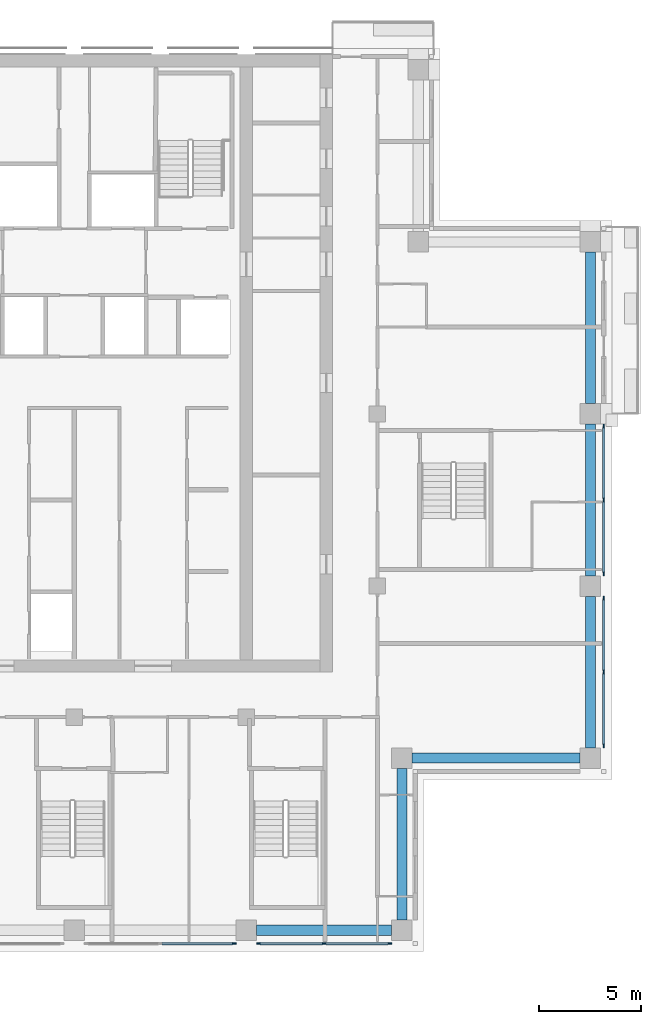
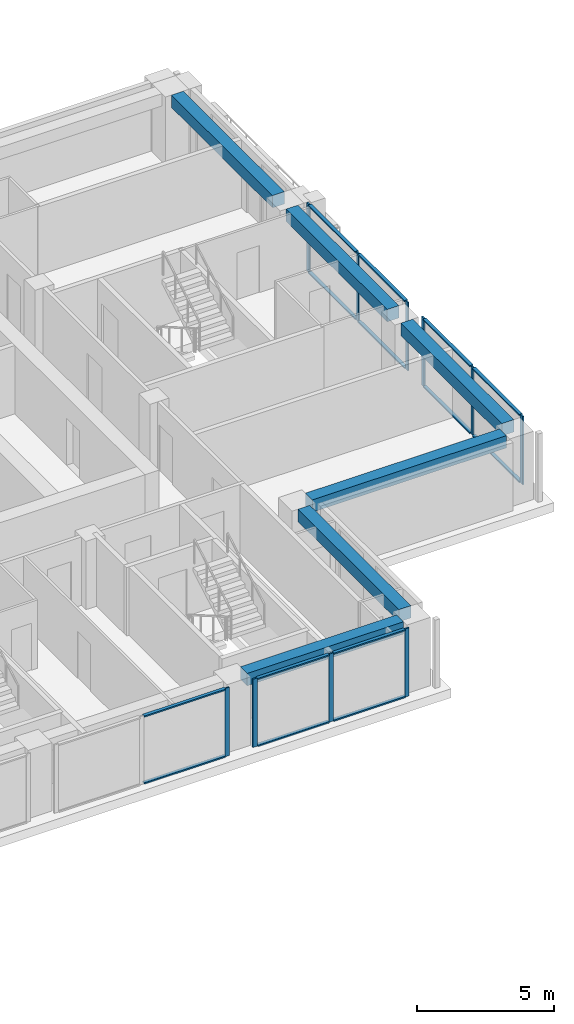
# One storey, part 5 of 16: 24 members, 6 beams, 4 elements without a shape of their own.
"""IFC4 building model written with IfcOpenShell, lengths in metres."""

from ifc_helpers import new_model, si_unit, direction, frame, origin, origin_2d, place, context, subcontext, project, spatial, rectangle, extrude, material, material_profile, profile_set, type_object, element, aggregate, save


model = new_model("IFC4")

# Units and contexts
model_context = context("Model", 3, precision=1e-05, world=origin(), true_north=direction((0.0, 1.0)))
body_context = subcontext(model_context, "Body", "Model", "MODEL_VIEW")
ifc_project = project(units=[si_unit("LENGTHUNIT", "METRE"), si_unit("AREAUNIT", "SQUARE_METRE"), si_unit("VOLUMEUNIT", "CUBIC_METRE"), si_unit("PLANEANGLEUNIT", "RADIAN"), si_unit("MASSUNIT", "GRAM", prefix="KILO")], contexts=[model_context])

# Site, building, storey
site_placement = place(None, origin())
site = spatial("IfcSite", under=ifc_project, at=site_placement, CompositionType="ELEMENT")
building_placement = place(site_placement, origin())
building = spatial("IfcBuilding", under=site, at=building_placement, Name="Vermilion Ogive Tower", CompositionType="ELEMENT")
storey_placement = place(building_placement, frame((0.0, 0.0, 179.0)))
storey = spatial("IfcBuildingStorey", under=building, at=storey_placement, Name="L46", CompositionType="ELEMENT", Elevation=179.0)

# Curtain wall, member
ifc_material_1 = material(Name="Low-iron laminated glazing in aluminium frame", Category="aluminium")
curtain_wall_type = type_object("IfcCurtainWallType", Name="Curtain wall CW7", PredefinedType="NOTDEFINED", material=ifc_material_1)
curtain_wall_1_placement = place(storey_placement, origin())
curtain_wall_1 = element("IfcCurtainWall", 1, at=curtain_wall_1_placement, inside=storey, type_object=curtain_wall_type, Name="Glazed skin S3", PredefinedType="NOTDEFINED")
ifc_material_2 = material(Name="Aluminium mullion", Category="aluminium")
ifc_material_profile_1 = material_profile(ifc_material_2, rectangle(XDim=0.06005859375, YDim=0.179931640625, at=origin_2d()), Name="AL 60x180")
ifc_profile_set_1 = profile_set([ifc_material_profile_1], Name="Aluminium mullion")
member_type_1 = type_object("IfcMemberType", Name="CW7 mullion 60x180", PredefinedType="MULLION", material=ifc_profile_set_1)
member_1_placement = place(storey_placement, frame((7.81005859375, -21.64990234375, 0.0), z_axis=(0.0, 0.0, 1.0), x_axis=(0.0, 1.0, 0.0)))
member_1 = element("IfcMember", 2, at=member_1_placement, type_object=member_type_1, Name="CW7-S3 mullion 3", PredefinedType="MULLION", context=body_context, shape_type="SweptSolid", body=[
    extrude(rectangle(XDim=0.06005859375, YDim=0.179931640625, at=origin_2d()), origin(), (0.0, 0.0, 1.0), 3.050048828125),
])

# Curtain wall, members
curtain_wall_2_placement = place(storey_placement, origin())
curtain_wall_2 = element("IfcCurtainWall", 3, at=curtain_wall_2_placement, inside=storey, type_object=curtain_wall_type, Name="Glazed skin S4", PredefinedType="NOTDEFINED")
member_2_placement = place(storey_placement, frame((8.989990234375, -21.64990234375, 0.0), z_axis=(0.0, 0.0, 1.0), x_axis=(0.0, 1.0, 0.0)))
member_2 = element("IfcMember", 4, at=member_2_placement, type_object=member_type_1, Name="CW7-S4 mullion 1", PredefinedType="MULLION", context=body_context, shape_type="SweptSolid", body=[
    extrude(rectangle(XDim=0.06005859375, YDim=0.179931640625, at=origin_2d()), origin(), (0.0, 0.0, 1.0), 3.050048828125),
])
member_3_placement = place(storey_placement, frame((12.199951171875, -21.64990234375, 0.0), z_axis=(0.0, 0.0, 1.0), x_axis=(0.0, 1.0, 0.0)))
member_3 = element("IfcMember", 5, at=member_3_placement, type_object=member_type_1, Name="CW7-S4 mullion 2", PredefinedType="MULLION", context=body_context, shape_type="SweptSolid", body=[
    extrude(rectangle(XDim=0.06005859375, YDim=0.179931640625, at=origin_2d()), origin(), (0.0, 0.0, 1.0), 3.050048828125),
])
member_4_placement = place(storey_placement, frame((15.409912109375, -21.64990234375, 0.0), z_axis=(0.0, 0.0, 1.0), x_axis=(0.0, 1.0, 0.0)))
member_4 = element("IfcMember", 6, at=member_4_placement, type_object=member_type_1, Name="CW7-S4 mullion 3", PredefinedType="MULLION", context=body_context, shape_type="SweptSolid", body=[
    extrude(rectangle(XDim=0.06005859375, YDim=0.179931640625, at=origin_2d()), origin(), (0.0, 0.0, 1.0), 3.050048828125),
])

curtain_wall_3_placement = place(storey_placement, origin())
curtain_wall_3 = element("IfcCurtainWall", 7, at=curtain_wall_3_placement, inside=storey, type_object=curtain_wall_type, Name="Glazed skin E1", PredefinedType="NOTDEFINED")
member_5_placement = place(storey_placement, frame((25.85009765625, -12.010009765625, 0.0), z_axis=(0.0, 0.0, 1.0), x_axis=(-1.0, 0.0, 0.0)))
member_5 = element("IfcMember", 8, at=member_5_placement, type_object=member_type_1, Name="CW7-E1 mullion 1", PredefinedType="MULLION", context=body_context, shape_type="SweptSolid", body=[
    extrude(rectangle(XDim=0.06005859375, YDim=0.179931640625, at=origin_2d()), origin(), (0.0, 0.0, 1.0), 3.050048828125),
])
member_6_placement = place(storey_placement, frame((25.85009765625, -8.39990234375, 0.0), z_axis=(0.0, 0.0, 1.0), x_axis=(-1.0, 0.0, 0.0)))
member_6 = element("IfcMember", 9, at=member_6_placement, type_object=member_type_1, Name="CW7-E1 mullion 2", PredefinedType="MULLION", context=body_context, shape_type="SweptSolid", body=[
    extrude(rectangle(XDim=0.06005859375, YDim=0.179931640625, at=origin_2d()), origin(), (0.0, 0.0, 1.0), 3.050048828125),
])
member_7_placement = place(storey_placement, frame((25.85009765625, -4.7900390625, 0.0), z_axis=(0.0, 0.0, 1.0), x_axis=(-1.0, 0.0, 0.0)))
member_7 = element("IfcMember", 10, at=member_7_placement, type_object=member_type_1, Name="CW7-E1 mullion 3", PredefinedType="MULLION", context=body_context, shape_type="SweptSolid", body=[
    extrude(rectangle(XDim=0.06005859375, YDim=0.179931640625, at=origin_2d()), origin(), (0.0, 0.0, 1.0), 3.050048828125),
])

curtain_wall_4_placement = place(storey_placement, origin())
curtain_wall_4 = element("IfcCurtainWall", 11, at=curtain_wall_4_placement, inside=storey, type_object=curtain_wall_type, Name="Glazed skin E2", PredefinedType="NOTDEFINED")
member_8_placement = place(storey_placement, frame((25.85009765625, -3.610107421875, 0.0), z_axis=(0.0, 0.0, 1.0), x_axis=(-1.0, 0.0, 0.0)))
member_8 = element("IfcMember", 12, at=member_8_placement, type_object=member_type_1, Name="CW7-E2 mullion 1", PredefinedType="MULLION", context=body_context, shape_type="SweptSolid", body=[
    extrude(rectangle(XDim=0.06005859375, YDim=0.179931640625, at=origin_2d()), origin(), (0.0, 0.0, 1.0), 3.050048828125),
])
member_9_placement = place(storey_placement, frame((25.85009765625, 0.0, 0.0), z_axis=(0.0, 0.0, 1.0), x_axis=(-1.0, 0.0, 0.0)))
member_9 = element("IfcMember", 13, at=member_9_placement, type_object=member_type_1, Name="CW7-E2 mullion 2", PredefinedType="MULLION", context=body_context, shape_type="SweptSolid", body=[
    extrude(rectangle(XDim=0.06005859375, YDim=0.179931640625, at=origin_2d()), origin(), (0.0, 0.0, 1.0), 3.050048828125),
])
member_10_placement = place(storey_placement, frame((25.85009765625, 3.610107421875, 0.0), z_axis=(0.0, 0.0, 1.0), x_axis=(-1.0, 0.0, 0.0)))
member_10 = element("IfcMember", 14, at=member_10_placement, type_object=member_type_1, Name="CW7-E2 mullion 3", PredefinedType="MULLION", context=body_context, shape_type="SweptSolid", body=[
    extrude(rectangle(XDim=0.06005859375, YDim=0.179931640625, at=origin_2d()), origin(), (0.0, 0.0, 1.0), 3.050048828125),
])

# Member
ifc_material_3 = material(Name="Aluminium transom", Category="aluminium")
ifc_material_profile_2 = material_profile(ifc_material_3, rectangle(XDim=0.139892578125, YDim=0.06005859375, at=origin_2d()), Name="AL 60x140")
ifc_profile_set_2 = profile_set([ifc_material_profile_2], Name="Aluminium transom")
member_type_2 = type_object("IfcMemberType", Name="CW7 transom 60x140", PredefinedType="USERDEFINED", material=ifc_profile_set_2)
member_11_placement = place(storey_placement, frame((4.2900390625, -21.64990234375, 0.030029296875), z_axis=(1.0, 0.0, 0.0), x_axis=(0.0, 1.0, 0.0)))
member_11 = element("IfcMember", 15, at=member_11_placement, type_object=member_type_2, Name="CW7-S3 transom 2.1", ObjectType="TRANSOM", PredefinedType="USERDEFINED", context=body_context, shape_type="SweptSolid", body=[
    extrude(rectangle(XDim=0.139892578125, YDim=0.06005859375, at=origin_2d()), origin(), (0.0, 0.0, 1.0), 3.429931640625),
])

member_12_placement = place(storey_placement, frame((4.2900390625, -21.64990234375, 3.02001953125), z_axis=(1.0, 0.0, 0.0), x_axis=(0.0, 1.0, 0.0)))
member_12 = element("IfcMember", 16, at=member_12_placement, type_object=member_type_2, Name="CW7-S3 transom 2.2", ObjectType="TRANSOM", PredefinedType="USERDEFINED", context=body_context, shape_type="SweptSolid", body=[
    extrude(rectangle(XDim=0.139892578125, YDim=0.06005859375, at=origin_2d()), origin(), (0.0, 0.0, 1.0), 3.429931640625),
])

aggregate(curtain_wall_1, [member_1, member_11, member_12])

member_13_placement = place(storey_placement, frame((9.080078125, -21.64990234375, 0.030029296875), z_axis=(1.0, 0.0, 0.0), x_axis=(0.0, 1.0, 0.0)))
member_13 = element("IfcMember", 17, at=member_13_placement, type_object=member_type_2, Name="CW7-S4 transom 1.1", ObjectType="TRANSOM", PredefinedType="USERDEFINED", context=body_context, shape_type="SweptSolid", body=[
    extrude(rectangle(XDim=0.139892578125, YDim=0.06005859375, at=origin_2d()), origin(), (0.0, 0.0, 1.0), 3.030029296875),
])

member_14_placement = place(storey_placement, frame((9.080078125, -21.64990234375, 3.02001953125), z_axis=(1.0, 0.0, 0.0), x_axis=(0.0, 1.0, 0.0)))
member_14 = element("IfcMember", 18, at=member_14_placement, type_object=member_type_2, Name="CW7-S4 transom 1.2", ObjectType="TRANSOM", PredefinedType="USERDEFINED", context=body_context, shape_type="SweptSolid", body=[
    extrude(rectangle(XDim=0.139892578125, YDim=0.06005859375, at=origin_2d()), origin(), (0.0, 0.0, 1.0), 3.030029296875),
])

member_15_placement = place(storey_placement, frame((12.2900390625, -21.64990234375, 0.030029296875), z_axis=(1.0, 0.0, 0.0), x_axis=(0.0, 1.0, 0.0)))
member_15 = element("IfcMember", 19, at=member_15_placement, type_object=member_type_2, Name="CW7-S4 transom 2.1", ObjectType="TRANSOM", PredefinedType="USERDEFINED", context=body_context, shape_type="SweptSolid", body=[
    extrude(rectangle(XDim=0.139892578125, YDim=0.06005859375, at=origin_2d()), origin(), (0.0, 0.0, 1.0), 3.030029296875),
])

member_16_placement = place(storey_placement, frame((12.2900390625, -21.64990234375, 3.02001953125), z_axis=(1.0, 0.0, 0.0), x_axis=(0.0, 1.0, 0.0)))
member_16 = element("IfcMember", 20, at=member_16_placement, type_object=member_type_2, Name="CW7-S4 transom 2.2", ObjectType="TRANSOM", PredefinedType="USERDEFINED", context=body_context, shape_type="SweptSolid", body=[
    extrude(rectangle(XDim=0.139892578125, YDim=0.06005859375, at=origin_2d()), origin(), (0.0, 0.0, 1.0), 3.030029296875),
])

aggregate(curtain_wall_2, [member_2, member_3, member_4, member_13, member_14, member_15, member_16])

member_17_placement = place(storey_placement, frame((25.85009765625, -11.919921875, 0.030029296875), z_axis=(0.0, 1.0, 0.0), x_axis=(-1.0, 0.0, 0.0)))
member_17 = element("IfcMember", 21, at=member_17_placement, type_object=member_type_2, Name="CW7-E1 transom 1.1", ObjectType="TRANSOM", PredefinedType="USERDEFINED", context=body_context, shape_type="SweptSolid", body=[
    extrude(rectangle(XDim=0.139892578125, YDim=0.06005859375, at=origin_2d()), origin(), (0.0, 0.0, 1.0), 3.429931640625),
])

member_18_placement = place(storey_placement, frame((25.85009765625, -11.919921875, 3.02001953125), z_axis=(0.0, 1.0, 0.0), x_axis=(-1.0, 0.0, 0.0)))
member_18 = element("IfcMember", 22, at=member_18_placement, type_object=member_type_2, Name="CW7-E1 transom 1.2", ObjectType="TRANSOM", PredefinedType="USERDEFINED", context=body_context, shape_type="SweptSolid", body=[
    extrude(rectangle(XDim=0.139892578125, YDim=0.06005859375, at=origin_2d()), origin(), (0.0, 0.0, 1.0), 3.429931640625),
])

member_19_placement = place(storey_placement, frame((25.85009765625, -8.31005859375, 0.030029296875), z_axis=(0.0, 1.0, 0.0), x_axis=(-1.0, 0.0, 0.0)))
member_19 = element("IfcMember", 23, at=member_19_placement, type_object=member_type_2, Name="CW7-E1 transom 2.1", ObjectType="TRANSOM", PredefinedType="USERDEFINED", context=body_context, shape_type="SweptSolid", body=[
    extrude(rectangle(XDim=0.139892578125, YDim=0.06005859375, at=origin_2d()), origin(), (0.0, 0.0, 1.0), 3.43017578125),
])

member_20_placement = place(storey_placement, frame((25.85009765625, -8.31005859375, 3.02001953125), z_axis=(0.0, 1.0, 0.0), x_axis=(-1.0, 0.0, 0.0)))
member_20 = element("IfcMember", 24, at=member_20_placement, type_object=member_type_2, Name="CW7-E1 transom 2.2", ObjectType="TRANSOM", PredefinedType="USERDEFINED", context=body_context, shape_type="SweptSolid", body=[
    extrude(rectangle(XDim=0.139892578125, YDim=0.06005859375, at=origin_2d()), origin(), (0.0, 0.0, 1.0), 3.43017578125),
])

aggregate(curtain_wall_3, [member_5, member_6, member_7, member_17, member_18, member_19, member_20])

member_21_placement = place(storey_placement, frame((25.85009765625, -3.52001953125, 0.030029296875), z_axis=(0.0, 1.0, 0.0), x_axis=(-1.0, 0.0, 0.0)))
member_21 = element("IfcMember", 25, at=member_21_placement, type_object=member_type_2, Name="CW7-E2 transom 1.1", ObjectType="TRANSOM", PredefinedType="USERDEFINED", context=body_context, shape_type="SweptSolid", body=[
    extrude(rectangle(XDim=0.139892578125, YDim=0.06005859375, at=origin_2d()), origin(), (0.0, 0.0, 1.0), 3.429931640625),
])

member_22_placement = place(storey_placement, frame((25.85009765625, -3.52001953125, 3.02001953125), z_axis=(0.0, 1.0, 0.0), x_axis=(-1.0, 0.0, 0.0)))
member_22 = element("IfcMember", 26, at=member_22_placement, type_object=member_type_2, Name="CW7-E2 transom 1.2", ObjectType="TRANSOM", PredefinedType="USERDEFINED", context=body_context, shape_type="SweptSolid", body=[
    extrude(rectangle(XDim=0.139892578125, YDim=0.06005859375, at=origin_2d()), origin(), (0.0, 0.0, 1.0), 3.429931640625),
])

member_23_placement = place(storey_placement, frame((25.85009765625, 0.090087890625, 0.030029296875), z_axis=(0.0, 1.0, 0.0), x_axis=(-1.0, 0.0, 0.0)))
member_23 = element("IfcMember", 27, at=member_23_placement, type_object=member_type_2, Name="CW7-E2 transom 2.1", ObjectType="TRANSOM", PredefinedType="USERDEFINED", context=body_context, shape_type="SweptSolid", body=[
    extrude(rectangle(XDim=0.139892578125, YDim=0.06005859375, at=origin_2d()), origin(), (0.0, 0.0, 1.0), 3.429931640625),
])

member_24_placement = place(storey_placement, frame((25.85009765625, 0.090087890625, 3.02001953125), z_axis=(0.0, 1.0, 0.0), x_axis=(-1.0, 0.0, 0.0)))
member_24 = element("IfcMember", 28, at=member_24_placement, type_object=member_type_2, Name="CW7-E2 transom 2.2", ObjectType="TRANSOM", PredefinedType="USERDEFINED", context=body_context, shape_type="SweptSolid", body=[
    extrude(rectangle(XDim=0.139892578125, YDim=0.06005859375, at=origin_2d()), origin(), (0.0, 0.0, 1.0), 3.429931640625),
])

aggregate(curtain_wall_4, [member_8, member_9, member_10, member_21, member_22, member_23, member_24])

# Beams
ifc_material_4 = material(Name="Concrete B45", Category="concrete")
ifc_material_profile_3 = material_profile(ifc_material_4, rectangle(XDim=0.5, YDim=0.550048828125, at=origin_2d()), Name="500 x 550")
ifc_profile_set_3 = profile_set([ifc_material_profile_3], Name="Concrete B45")
beam_type = type_object("IfcBeamType", Name="Edge beam 500 x 550 B45", PredefinedType="BEAM", material=ifc_profile_set_3)
beam_1_placement = place(storey_placement, frame((8.89990234375, -21.0, 2.77490234375), z_axis=(1.0, 0.0, 0.0), x_axis=(0.0, 1.0, 0.0)))
element("IfcBeam", 29, at=beam_1_placement, inside=storey, type_object=beam_type, Name="L46-EB-4", PredefinedType="BEAM", context=body_context, shape_type="SweptSolid", body=[
    extrude(rectangle(XDim=0.5, YDim=0.550048828125, at=origin_2d()), origin(), (0.0, 0.0, 1.0), 6.60009765625),
])
beam_2_placement = place(storey_placement, frame((16.0, -20.5, 2.77490234375), z_axis=(0.0, 1.0, 0.0), x_axis=(-1.0, 0.0, 0.0)))
element("IfcBeam", 30, at=beam_2_placement, inside=storey, type_object=beam_type, Name="L46-EB-5", PredefinedType="BEAM", context=body_context, shape_type="SweptSolid", body=[
    extrude(rectangle(XDim=0.5, YDim=0.550048828125, at=origin_2d()), origin(), (0.0, 0.0, 1.0), 7.39990234375),
])
beam_3_placement = place(storey_placement, frame((16.5, -12.60009765625, 2.77490234375), z_axis=(1.0, 0.0, 0.0), x_axis=(0.0, 1.0, 0.0)))
element("IfcBeam", 31, at=beam_3_placement, inside=storey, type_object=beam_type, Name="L46-EB-6", PredefinedType="BEAM", context=body_context, shape_type="SweptSolid", body=[
    extrude(rectangle(XDim=0.5, YDim=0.550048828125, at=origin_2d()), origin(), (0.0, 0.0, 1.0), 8.199951171875),
])
beam_4_placement = place(storey_placement, frame((25.199951171875, -12.10009765625, 2.77490234375), z_axis=(0.0, 1.0, 0.0), x_axis=(-1.0, 0.0, 0.0)))
element("IfcBeam", 32, at=beam_4_placement, inside=storey, type_object=beam_type, Name="L46-EB-7", PredefinedType="BEAM", context=body_context, shape_type="SweptSolid", body=[
    extrude(rectangle(XDim=0.5, YDim=0.550048828125, at=origin_2d()), origin(), (0.0, 0.0, 1.0), 7.400146484375),
])
beam_5_placement = place(storey_placement, frame((25.199951171875, -3.699951171875, 2.77490234375), z_axis=(0.0, 1.0, 0.0), x_axis=(-1.0, 0.0, 0.0)))
element("IfcBeam", 33, at=beam_5_placement, inside=storey, type_object=beam_type, Name="L46-EB-8", PredefinedType="BEAM", context=body_context, shape_type="SweptSolid", body=[
    extrude(rectangle(XDim=0.5, YDim=0.550048828125, at=origin_2d()), origin(), (0.0, 0.0, 1.0), 7.39990234375),
])
beam_6_placement = place(storey_placement, frame((25.199951171875, 4.699951171875, 2.77490234375), z_axis=(0.0, 1.0, 0.0), x_axis=(-1.0, 0.0, 0.0)))
element("IfcBeam", 34, at=beam_6_placement, inside=storey, type_object=beam_type, Name="L46-EB-9", PredefinedType="BEAM", context=body_context, shape_type="SweptSolid", body=[
    extrude(rectangle(XDim=0.5, YDim=0.550048828125, at=origin_2d()), origin(), (0.0, 0.0, 1.0), 7.400146484375),
])

save(model, "model.ifc")
